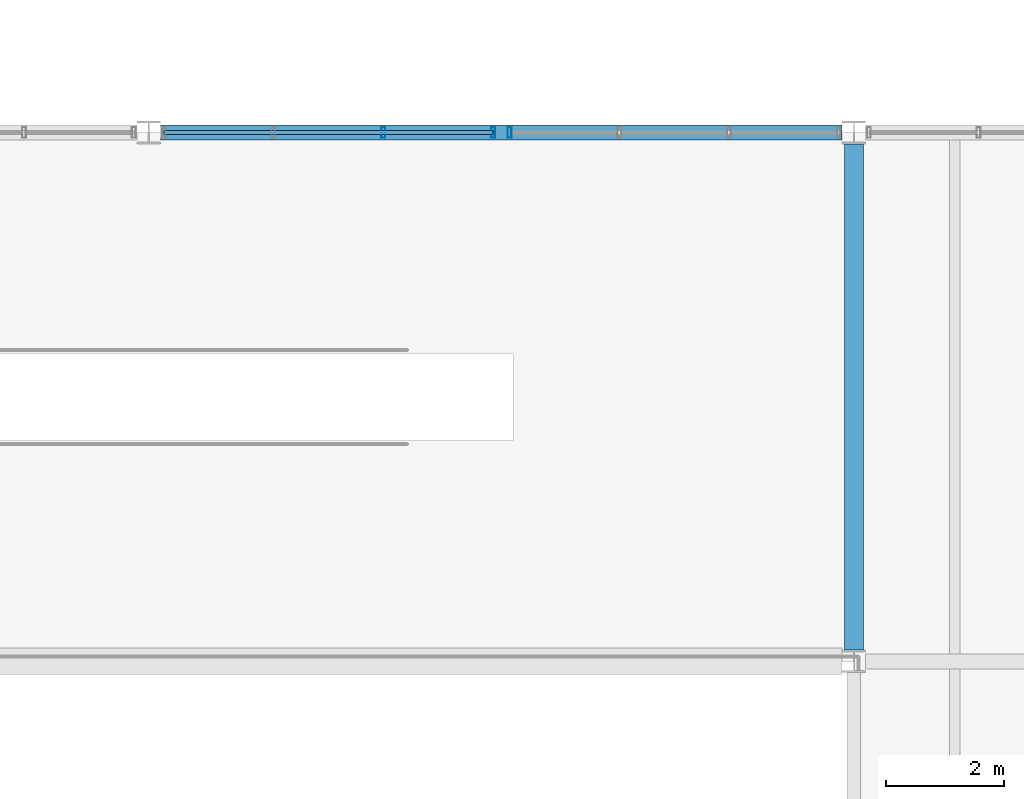
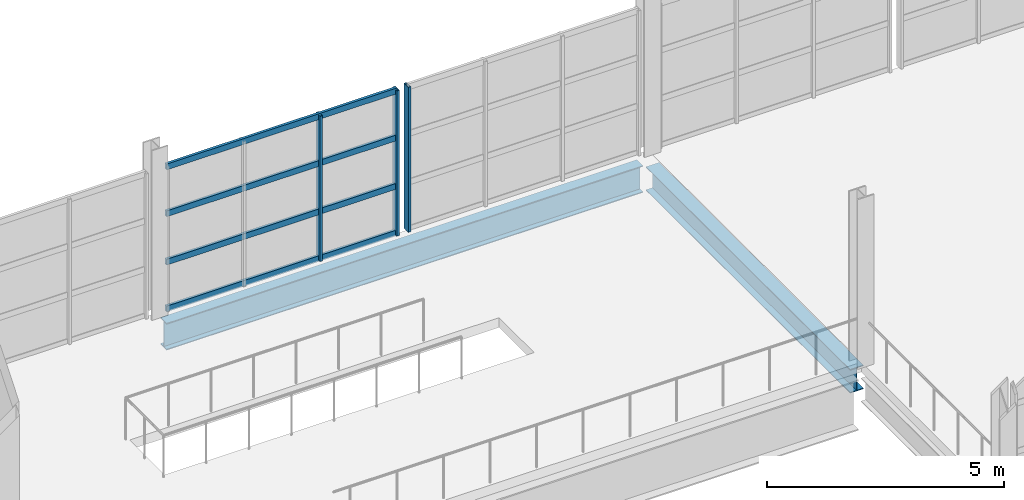
# One storey, part 27 of 78: 7 members, 2 beams, 2 elements without a shape of their own.
"""IFC4 building model written with IfcOpenShell, lengths in metres."""

from ifc_helpers import new_model, si_unit, direction, frame, origin, origin_2d, place, context, subcontext, project, spatial, hollow_rectangle, i_section, extrude, material, material_profile, profile_set, type_object, element, aggregate, save


model = new_model("IFC4")

# Units and contexts
model_context = context("Model", 3, precision=1e-05, world=origin(), true_north=direction((0.0, 1.0)))
body_context = subcontext(model_context, "Body", "Model", "MODEL_VIEW")
ifc_project = project(units=[si_unit("LENGTHUNIT", "METRE"), si_unit("AREAUNIT", "SQUARE_METRE"), si_unit("VOLUMEUNIT", "CUBIC_METRE"), si_unit("PLANEANGLEUNIT", "RADIAN"), si_unit("MASSUNIT", "GRAM", prefix="KILO")], contexts=[model_context])

# Site, building, storey
site_placement = place(None, origin())
site = spatial("IfcSite", under=ifc_project, at=site_placement, CompositionType="ELEMENT")
building_placement = place(site_placement, origin())
building = spatial("IfcBuilding", under=site, at=building_placement, Name="Kelmvaro Bay Concert Hall", CompositionType="ELEMENT")
storey_placement = place(building_placement, frame((0.0, 0.0, 9.300048828125)))
storey = spatial("IfcBuildingStorey", under=building, at=storey_placement, Name="L02", CompositionType="ELEMENT", Elevation=9.300048828125)

# Curtain wall, members
ifc_material_1 = material(Name="Anodised Aluminium and Low-E Insulated Glazing", Category="aluminium")
curtain_wall_type = type_object("IfcCurtainWallType", Name="Upper Salon Waterfront Curtain Wall 4050", PredefinedType="USERDEFINED", material=ifc_material_1)
curtain_wall_1_placement = place(storey_placement, origin())
curtain_wall_1 = element("IfcCurtainWall", 1, at=curtain_wall_1_placement, inside=storey, type_object=curtain_wall_type, Name="Unitised Curtain Wall CW-L02-091", ObjectType="UNITISED GLAZING", PredefinedType="USERDEFINED")
ifc_material_2 = material(Name="Anodised Extruded Aluminium 6063-T6", Category="aluminium")
ifc_material_profile_1 = material_profile(ifc_material_2, hollow_rectangle(XDim=0.06494140625, YDim=0.179931640625, WallThickness=0.00390625, at=origin_2d()), Name="ALU-MUL-180X65")
ifc_profile_set_1 = profile_set([ifc_material_profile_1], Name="Anodised Extruded Aluminium 6063-T6")
member_type_1 = type_object("IfcMemberType", Name="Curtain Mullion ALU 180x65", PredefinedType="MULLION", material=ifc_profile_set_1)
member_1_placement = place(storey_placement, frame((75.991455078125, 39.0, 0.0), z_axis=(0.0, 0.0, 1.0), x_axis=(1.0, 0.0, 0.0)))
member_1 = element("IfcMember", 2, at=member_1_placement, type_object=member_type_1, Name="CW-L02-091 Mullion 03", PredefinedType="MULLION", context=body_context, shape_type="SweptSolid", body=[
    extrude(hollow_rectangle(XDim=0.06494140625, YDim=0.179931640625, WallThickness=0.00390625, at=origin_2d()), origin(), (0.0, 0.0, 1.0), 3.739013671875),
])
member_2_placement = place(storey_placement, frame((77.860107421875, 39.0, 0.0), z_axis=(0.0, 0.0, 1.0), x_axis=(1.0, 0.0, 0.0)))
member_2 = element("IfcMember", 3, at=member_2_placement, type_object=member_type_1, Name="CW-L02-091 Mullion 04", PredefinedType="MULLION", context=body_context, shape_type="SweptSolid", body=[
    extrude(hollow_rectangle(XDim=0.06494140625, YDim=0.179931640625, WallThickness=0.00390625, at=origin_2d()), origin(), (0.0, 0.0, 1.0), 3.739013671875),
])

# Curtain wall, member
curtain_wall_2_placement = place(storey_placement, origin())
curtain_wall_2 = element("IfcCurtainWall", 4, at=curtain_wall_2_placement, inside=storey, type_object=curtain_wall_type, Name="Unitised Curtain Wall CW-L02-092", ObjectType="UNITISED GLAZING", PredefinedType="USERDEFINED")
member_3_placement = place(storey_placement, frame((78.139892578125, 39.0, 0.0), z_axis=(0.0, 0.0, 1.0), x_axis=(1.0, 0.0, 0.0)))
member_3 = element("IfcMember", 5, at=member_3_placement, type_object=member_type_1, Name="CW-L02-092 Mullion 01", PredefinedType="MULLION", context=body_context, shape_type="SweptSolid", body=[
    extrude(hollow_rectangle(XDim=0.06494140625, YDim=0.179931640625, WallThickness=0.00390625, at=origin_2d()), origin(), (0.0, 0.0, 1.0), 3.739013671875),
])
aggregate(curtain_wall_2, [member_3])

# Member
ifc_material_3 = material(Name="Anodised Extruded Aluminium 6063-T6", Category="aluminium")
ifc_material_profile_2 = material_profile(ifc_material_3, hollow_rectangle(XDim=0.06494140625, YDim=0.14990234375, WallThickness=0.00390625, at=origin_2d()), Name="ALU-TRN-150X65")
ifc_profile_set_2 = profile_set([ifc_material_profile_2], Name="Anodised Extruded Aluminium 6063-T6")
member_type_2 = type_object("IfcMemberType", Name="Curtain Transom ALU 150x65", PredefinedType="USERDEFINED", material=ifc_profile_set_2)
member_4_placement = place(storey_placement, frame((72.25439453125, 39.0, 0.0400390625), z_axis=(1.0, 0.0, 0.0), x_axis=(0.0, 1.0, 0.0)))
member_4 = element("IfcMember", 6, at=member_4_placement, type_object=member_type_2, Name="CW-L02-091 Transom 01", ObjectType="TRANSOM", PredefinedType="USERDEFINED", context=body_context, shape_type="SweptSolid", body=[
    extrude(hollow_rectangle(XDim=0.06494140625, YDim=0.14990234375, WallThickness=0.00390625, at=origin_2d()), origin(), (0.0, 0.0, 1.0), 5.605712890625),
])

member_5_placement = place(storey_placement, frame((72.25439453125, 39.0, 1.246337890625), z_axis=(1.0, 0.0, 0.0), x_axis=(0.0, 1.0, 0.0)))
member_5 = element("IfcMember", 7, at=member_5_placement, type_object=member_type_2, Name="CW-L02-091 Transom 02", ObjectType="TRANSOM", PredefinedType="USERDEFINED", context=body_context, shape_type="SweptSolid", body=[
    extrude(hollow_rectangle(XDim=0.06494140625, YDim=0.14990234375, WallThickness=0.00390625, at=origin_2d()), origin(), (0.0, 0.0, 1.0), 5.605712890625),
])

member_6_placement = place(storey_placement, frame((72.25439453125, 39.0, 2.49267578125), z_axis=(1.0, 0.0, 0.0), x_axis=(0.0, 1.0, 0.0)))
member_6 = element("IfcMember", 8, at=member_6_placement, type_object=member_type_2, Name="CW-L02-091 Transom 03", ObjectType="TRANSOM", PredefinedType="USERDEFINED", context=body_context, shape_type="SweptSolid", body=[
    extrude(hollow_rectangle(XDim=0.06494140625, YDim=0.14990234375, WallThickness=0.00390625, at=origin_2d()), origin(), (0.0, 0.0, 1.0), 5.605712890625),
])

member_7_placement = place(storey_placement, frame((72.25439453125, 39.0, 3.698974609375), z_axis=(1.0, 0.0, 0.0), x_axis=(0.0, 1.0, 0.0)))
member_7 = element("IfcMember", 9, at=member_7_placement, type_object=member_type_2, Name="CW-L02-091 Transom 04", ObjectType="TRANSOM", PredefinedType="USERDEFINED", context=body_context, shape_type="SweptSolid", body=[
    extrude(hollow_rectangle(XDim=0.06494140625, YDim=0.14990234375, WallThickness=0.00390625, at=origin_2d()), origin(), (0.0, 0.0, 1.0), 5.605712890625),
])

aggregate(curtain_wall_1, [member_1, member_2, member_4, member_5, member_6, member_7])

# Beams
ifc_material_4 = material(Name="Steel ASTM A992 Grade 50", Category="steel")
ifc_material_profile_3 = material_profile(ifc_material_4, i_section(OverallWidth=0.323974609375, OverallDepth=0.611083984375, WebThickness=0.0126953125, FlangeThickness=0.01904296875, at=origin_2d()), Name="W24X104")
ifc_profile_set_3 = profile_set([ifc_material_profile_3], Name="Steel ASTM A992 Grade 50")
beam_type_1 = type_object("IfcBeamType", Name="Foyer Frame Girder W24x104", PredefinedType="BEAM", material=ifc_profile_set_3)
beam_1_placement = place(storey_placement, frame((84.0, 30.193115234375, -0.5556640625), z_axis=(0.0, 1.0, 0.0), x_axis=(-1.0, 0.0, 0.0)))
element("IfcBeam", 10, at=beam_1_placement, inside=storey, type_object=beam_type_1, Name="L02 Girder BM-L02-NS-0844", PredefinedType="BEAM", context=body_context, shape_type="SweptSolid", body=[
    extrude(i_section(OverallWidth=0.323974609375, OverallDepth=0.611083984375, WebThickness=0.0126953125, FlangeThickness=0.01904296875, at=origin_2d()), origin(), (0.0, 0.0, 1.0), 8.61376953125),
])
ifc_material_5 = material(Name="Steel ASTM A992 Grade 50", Category="steel")
ifc_material_profile_4 = material_profile(ifc_material_5, i_section(OverallWidth=0.256103515625, OverallDepth=0.693115234375, WebThickness=0.014404296875, FlangeThickness=0.023681640625, at=origin_2d()), Name="W27X114")
ifc_profile_set_4 = profile_set([ifc_material_profile_4], Name="Steel ASTM A992 Grade 50")
beam_type_2 = type_object("IfcBeamType", Name="Foyer Primary Girder W27x114", PredefinedType="BEAM", material=ifc_profile_set_4)
beam_2_placement = place(storey_placement, frame((72.199462890625, 39.0, -0.596435546875), z_axis=(1.0, 0.0, 0.0), x_axis=(0.0, 1.0, 0.0)))
element("IfcBeam", 11, at=beam_2_placement, inside=storey, type_object=beam_type_2, Name="L02 Girder BM-L02-EW-0727", PredefinedType="BEAM", context=body_context, shape_type="SweptSolid", body=[
    extrude(i_section(OverallWidth=0.256103515625, OverallDepth=0.693115234375, WebThickness=0.014404296875, FlangeThickness=0.023681640625, at=origin_2d()), origin(), (0.0, 0.0, 1.0), 11.60107421875),
])

save(model, "model.ifc")
